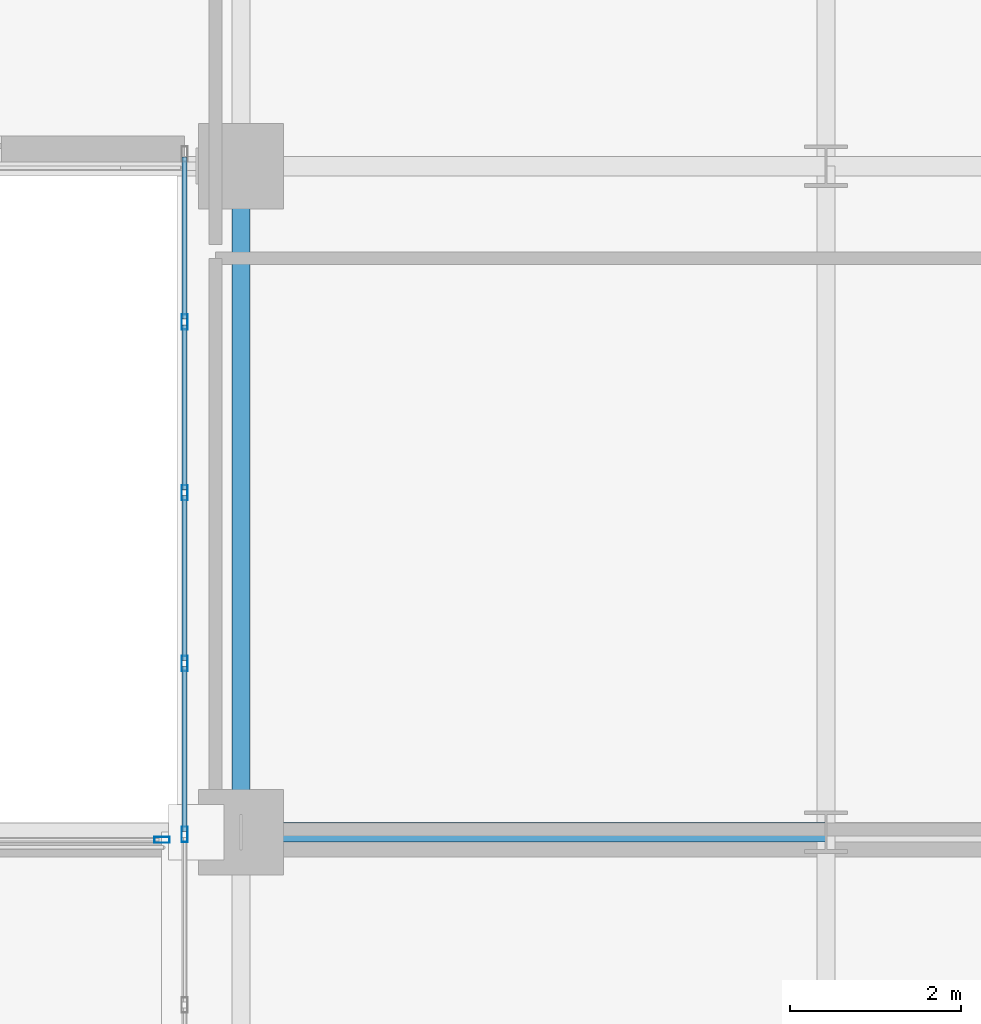
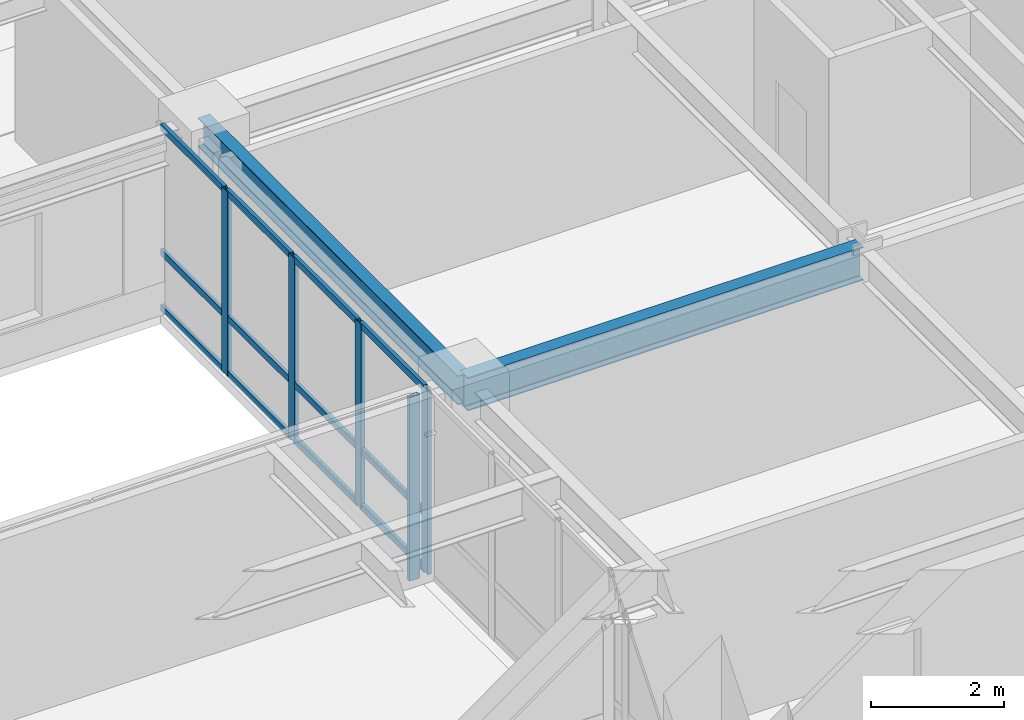
# One storey, part 10 of 31: 17 members, 2 beams, 2 elements without a shape of their own.
"""IFC4 building model written with IfcOpenShell, lengths in metres."""

from ifc_helpers import new_model, si_unit, direction, frame, origin, origin_2d, place, context, subcontext, project, spatial, hollow_rectangle, i_section, extrude, source, transform, mapped, material, layer, layer_set, material_profile, profile_set, type_object, type_shapes, element, aggregate, save


model = new_model("IFC4")

# Units and contexts
model_context = context("Model", 3, precision=1e-05, world=origin(), true_north=direction((0.0, 1.0)))
body_context = subcontext(model_context, "Body", "Model", "MODEL_VIEW")
ifc_project = project(units=[si_unit("LENGTHUNIT", "METRE"), si_unit("AREAUNIT", "SQUARE_METRE"), si_unit("VOLUMEUNIT", "CUBIC_METRE"), si_unit("PLANEANGLEUNIT", "RADIAN"), si_unit("MASSUNIT", "GRAM", prefix="KILO")], contexts=[model_context])

# Site, building, storey
site_placement = place(None, origin())
site = spatial("IfcSite", under=ifc_project, at=site_placement, CompositionType="ELEMENT")
building_placement = place(site_placement, origin())
building = spatial("IfcBuilding", under=site, at=building_placement, Name="Tolvann Quenvar Hotel", CompositionType="ELEMENT")
storey_placement = place(building_placement, frame((0.0, 0.0, 74.60009765625)))
storey = spatial("IfcBuildingStorey", under=building, at=storey_placement, Name="L18", CompositionType="ELEMENT", Elevation=74.60009765625)

# Beams
ifc_material_1 = material(Name="Steel Grade 350", Category="steel")
ifc_material_profile_1 = material_profile(ifc_material_1, i_section(OverallWidth=0.22900390625, OverallDepth=0.612060546875, WebThickness=0.011962890625, FlangeThickness=0.01953125, FilletRadius=0.013916015625, at=origin_2d()), Name="610UB125")
ifc_profile_set_1 = profile_set([ifc_material_profile_1], Name="Steel Grade 350")
beam_type_1 = type_object("IfcBeamType", Name="BM_GIRD_610UB125", PredefinedType="BEAM", material=ifc_profile_set_1)
shared_shape_1 = source(origin(), body_context, "Body", "SweptSolid", [
    extrude(i_section(OverallWidth=0.22900390625, OverallDepth=0.612060546875, WebThickness=0.011962890625, FlangeThickness=0.01953125, FilletRadius=0.013916015625, at=origin_2d()), origin(), (0.0, 0.0, 1.0), 6.85009765625),
])
type_shapes(beam_type_1, [shared_shape_1])
beam_1_placement = place(storey_placement, frame((34.949951171875, 8.199951171875, 3.06396484375), z_axis=(1.0, 0.0, 0.0), x_axis=(0.0, 1.0, 0.0)))
element("IfcBeam", 1, at=beam_1_placement, inside=storey, type_object=beam_type_1, Name="BM-L18-EW-3-F3-H3", PredefinedType="BEAM", context=body_context, shape_type="MappedRepresentation", body=[
    mapped(shared_shape_1, transform((0.0, 0.0, 0.0), x_axis=(1.0, 0.0, 0.0), y_axis=(0.0, 1.0, 0.0), z_axis=(0.0, 0.0, 1.0), scale=1.0)),
])
ifc_material_profile_2 = material_profile(ifc_material_1, i_section(OverallWidth=0.208984375, OverallDepth=0.532958984375, WebThickness=0.01025390625, FlangeThickness=0.015625, FilletRadius=0.013916015625, at=origin_2d()), Name="530UB92")
ifc_profile_set_2 = profile_set([ifc_material_profile_2], Name="Steel Grade 350")
beam_type_2 = type_object("IfcBeamType", Name="BM_GIRD_530UB92", PredefinedType="BEAM", material=ifc_profile_set_2)
shared_shape_2 = source(origin(), body_context, "Body", "SweptSolid", [
    extrude(i_section(OverallWidth=0.208984375, OverallDepth=0.532958984375, WebThickness=0.01025390625, FlangeThickness=0.015625, FilletRadius=0.013916015625, at=origin_2d()), origin(), (0.0, 0.0, 1.0), 7.800048828125),
])
type_shapes(beam_type_2, [shared_shape_2])
beam_2_placement = place(storey_placement, frame((34.949951171875, 8.199951171875, 3.103515625), z_axis=(0.0, 1.0, 0.0), x_axis=(-1.0, 0.0, 0.0)))
element("IfcBeam", 2, at=beam_2_placement, inside=storey, type_object=beam_type_2, Name="BM-L18-NS-F3-F4", PredefinedType="BEAM", context=body_context, shape_type="MappedRepresentation", body=[
    mapped(shared_shape_2, transform((0.0, 0.0, 0.0), x_axis=(1.0, 0.0, 0.0), y_axis=(0.0, 1.0, 0.0), z_axis=(0.0, 0.0, 1.0), scale=1.0)),
])

# Curtain wall, members
ifc_material_2 = material(Name="Thermally broken anodised architectural aluminium 6063-T6 and laminated low-E glass", Category="aluminium")
ifc_layer = layer(ifc_material_2, 0.179931640625)
ifc_layer_set = layer_set([ifc_layer], Name="Thermally broken anodised architectural aluminium 6063-T6 and laminated low-E glass")
curtain_wall_type = type_object("IfcCurtainWallType", Name="CW_SYS_SLOT_03", PredefinedType="USERDEFINED", material=ifc_layer_set)
curtain_wall_1_placement = place(storey_placement, origin())
curtain_wall_1 = element("IfcCurtainWall", 3, at=curtain_wall_1_placement, inside=storey, type_object=curtain_wall_type, Name="Curtain Wall CW-SLOT-03 (CWR-L18-E07)", ObjectType="UNITISED CURTAIN WALL", PredefinedType="USERDEFINED")
ifc_material_3 = material(Name="Anodised architectural aluminium 6063-T6 framing", Category="aluminium")
ifc_material_profile_3 = material_profile(ifc_material_3, hollow_rectangle(XDim=0.06005859375, YDim=0.1201171875, WallThickness=0.00341796875, at=origin_2d()), Name="120x60x3.5RHS")
ifc_profile_set_3 = profile_set([ifc_material_profile_3], Name="Anodised architectural aluminium 6063-T6 framing")
member_type_1 = type_object("IfcMemberType", Name="CW_TRAN_120x60", PredefinedType="USERDEFINED", material=ifc_profile_set_3)
shared_shape_3 = source(origin(), body_context, "Body", "SweptSolid", [
    extrude(hollow_rectangle(XDim=0.06005859375, YDim=0.1201171875, WallThickness=0.00341796875, at=origin_2d()), origin(), (0.0, 0.0, 1.0), 1.929931640625),
])
member_1_placement = place(storey_placement, frame((34.2900390625, 14.139892578125, 0.02978515625), z_axis=(0.0, -1.0, 0.0), x_axis=(1.0, 0.0, 0.0)))
member_1 = element("IfcMember", 4, at=member_1_placement, type_object=member_type_1, Name="CW-SLOT-03 transom 2.1", ObjectType="TRANSOM", PredefinedType="USERDEFINED", context=body_context, shape_type="MappedRepresentation", body=[
    mapped(shared_shape_3, transform((0.0, 0.0, 0.0), x_axis=(1.0, 0.0, 0.0), y_axis=(0.0, 1.0, 0.0), z_axis=(0.0, 0.0, 1.0), scale=1.0)),
])
member_2_placement = place(storey_placement, frame((34.2900390625, 14.139892578125, 1.0498046875), z_axis=(0.0, -1.0, 0.0), x_axis=(1.0, 0.0, 0.0)))
member_2 = element("IfcMember", 5, at=member_2_placement, type_object=member_type_1, Name="CW-SLOT-03 transom 2.2", ObjectType="TRANSOM", PredefinedType="USERDEFINED", context=body_context, shape_type="MappedRepresentation", body=[
    mapped(shared_shape_3, transform((0.0, 0.0, 0.0), x_axis=(1.0, 0.0, 0.0), y_axis=(0.0, 1.0, 0.0), z_axis=(0.0, 0.0, 1.0), scale=1.0)),
])
member_3_placement = place(storey_placement, frame((34.2900390625, 14.139892578125, 3.33984375), z_axis=(0.0, -1.0, 0.0), x_axis=(1.0, 0.0, 0.0)))
member_3 = element("IfcMember", 6, at=member_3_placement, type_object=member_type_1, Name="CW-SLOT-03 transom 2.3", ObjectType="TRANSOM", PredefinedType="USERDEFINED", context=body_context, shape_type="MappedRepresentation", body=[
    mapped(shared_shape_3, transform((0.0, 0.0, 0.0), x_axis=(1.0, 0.0, 0.0), y_axis=(0.0, 1.0, 0.0), z_axis=(0.0, 0.0, 1.0), scale=1.0)),
])
member_4_placement = place(storey_placement, frame((34.2900390625, 12.139892578125, 0.02978515625), z_axis=(0.0, -1.0, 0.0), x_axis=(1.0, 0.0, 0.0)))
member_4 = element("IfcMember", 7, at=member_4_placement, type_object=member_type_1, Name="CW-SLOT-03 transom 3.1", ObjectType="TRANSOM", PredefinedType="USERDEFINED", context=body_context, shape_type="MappedRepresentation", body=[
    mapped(shared_shape_3, transform((0.0, 0.0, 0.0), x_axis=(1.0, 0.0, 0.0), y_axis=(0.0, 1.0, 0.0), z_axis=(0.0, 0.0, 1.0), scale=1.0)),
])
member_5_placement = place(storey_placement, frame((34.2900390625, 12.139892578125, 1.0498046875), z_axis=(0.0, -1.0, 0.0), x_axis=(1.0, 0.0, 0.0)))
member_5 = element("IfcMember", 8, at=member_5_placement, type_object=member_type_1, Name="CW-SLOT-03 transom 3.2", ObjectType="TRANSOM", PredefinedType="USERDEFINED", context=body_context, shape_type="MappedRepresentation", body=[
    mapped(shared_shape_3, transform((0.0, 0.0, 0.0), x_axis=(1.0, 0.0, 0.0), y_axis=(0.0, 1.0, 0.0), z_axis=(0.0, 0.0, 1.0), scale=1.0)),
])
member_6_placement = place(storey_placement, frame((34.2900390625, 12.139892578125, 3.33984375), z_axis=(0.0, -1.0, 0.0), x_axis=(1.0, 0.0, 0.0)))
member_6 = element("IfcMember", 9, at=member_6_placement, type_object=member_type_1, Name="CW-SLOT-03 transom 3.3", ObjectType="TRANSOM", PredefinedType="USERDEFINED", context=body_context, shape_type="MappedRepresentation", body=[
    mapped(shared_shape_3, transform((0.0, 0.0, 0.0), x_axis=(1.0, 0.0, 0.0), y_axis=(0.0, 1.0, 0.0), z_axis=(0.0, 0.0, 1.0), scale=1.0)),
])
member_7_placement = place(storey_placement, frame((34.2900390625, 10.139892578125, 0.02978515625), z_axis=(0.0, -1.0, 0.0), x_axis=(1.0, 0.0, 0.0)))
member_7 = element("IfcMember", 10, at=member_7_placement, type_object=member_type_1, Name="CW-SLOT-03 transom 4.1", ObjectType="TRANSOM", PredefinedType="USERDEFINED", context=body_context, shape_type="MappedRepresentation", body=[
    mapped(shared_shape_3, transform((0.0, 0.0, 0.0), x_axis=(1.0, 0.0, 0.0), y_axis=(0.0, 1.0, 0.0), z_axis=(0.0, 0.0, 1.0), scale=1.0)),
])
member_8_placement = place(storey_placement, frame((34.2900390625, 10.139892578125, 1.0498046875), z_axis=(0.0, -1.0, 0.0), x_axis=(1.0, 0.0, 0.0)))
member_8 = element("IfcMember", 11, at=member_8_placement, type_object=member_type_1, Name="CW-SLOT-03 transom 4.2", ObjectType="TRANSOM", PredefinedType="USERDEFINED", context=body_context, shape_type="MappedRepresentation", body=[
    mapped(shared_shape_3, transform((0.0, 0.0, 0.0), x_axis=(1.0, 0.0, 0.0), y_axis=(0.0, 1.0, 0.0), z_axis=(0.0, 0.0, 1.0), scale=1.0)),
])
member_9_placement = place(storey_placement, frame((34.2900390625, 10.139892578125, 3.33984375), z_axis=(0.0, -1.0, 0.0), x_axis=(1.0, 0.0, 0.0)))
member_9 = element("IfcMember", 12, at=member_9_placement, type_object=member_type_1, Name="CW-SLOT-03 transom 4.3", ObjectType="TRANSOM", PredefinedType="USERDEFINED", context=body_context, shape_type="MappedRepresentation", body=[
    mapped(shared_shape_3, transform((0.0, 0.0, 0.0), x_axis=(1.0, 0.0, 0.0), y_axis=(0.0, 1.0, 0.0), z_axis=(0.0, 0.0, 1.0), scale=1.0)),
])
shared_shape_4 = source(origin(), body_context, "Body", "SweptSolid", [
    extrude(hollow_rectangle(XDim=0.06005859375, YDim=0.1201171875, WallThickness=0.00341796875, at=origin_2d()), origin(), (0.0, 0.0, 1.0), 1.89501953125),
])
type_shapes(member_type_1, [shared_shape_3, shared_shape_4])
member_10_placement = place(storey_placement, frame((34.2900390625, 16.10498046875, 0.02978515625), z_axis=(0.0, -1.0, 0.0), x_axis=(1.0, 0.0, 0.0)))
member_10 = element("IfcMember", 13, at=member_10_placement, type_object=member_type_1, Name="CW-SLOT-03 transom 1.1", ObjectType="TRANSOM", PredefinedType="USERDEFINED", context=body_context, shape_type="MappedRepresentation", body=[
    mapped(shared_shape_4, transform((0.0, 0.0, 0.0), x_axis=(1.0, 0.0, 0.0), y_axis=(0.0, 1.0, 0.0), z_axis=(0.0, 0.0, 1.0), scale=1.0)),
])
member_11_placement = place(storey_placement, frame((34.2900390625, 16.10498046875, 1.0498046875), z_axis=(0.0, -1.0, 0.0), x_axis=(1.0, 0.0, 0.0)))
member_11 = element("IfcMember", 14, at=member_11_placement, type_object=member_type_1, Name="CW-SLOT-03 transom 1.2", ObjectType="TRANSOM", PredefinedType="USERDEFINED", context=body_context, shape_type="MappedRepresentation", body=[
    mapped(shared_shape_4, transform((0.0, 0.0, 0.0), x_axis=(1.0, 0.0, 0.0), y_axis=(0.0, 1.0, 0.0), z_axis=(0.0, 0.0, 1.0), scale=1.0)),
])
member_12_placement = place(storey_placement, frame((34.2900390625, 16.10498046875, 3.33984375), z_axis=(0.0, -1.0, 0.0), x_axis=(1.0, 0.0, 0.0)))
member_12 = element("IfcMember", 15, at=member_12_placement, type_object=member_type_1, Name="CW-SLOT-03 transom 1.3", ObjectType="TRANSOM", PredefinedType="USERDEFINED", context=body_context, shape_type="MappedRepresentation", body=[
    mapped(shared_shape_4, transform((0.0, 0.0, 0.0), x_axis=(1.0, 0.0, 0.0), y_axis=(0.0, 1.0, 0.0), z_axis=(0.0, 0.0, 1.0), scale=1.0)),
])
ifc_material_profile_4 = material_profile(ifc_material_3, hollow_rectangle(XDim=0.070068359375, YDim=0.179931640625, WallThickness=0.00390625, at=origin_2d()), Name="180x70x4RHS")
ifc_profile_set_4 = profile_set([ifc_material_profile_4], Name="Anodised architectural aluminium 6063-T6 framing")
member_type_2 = type_object("IfcMemberType", Name="CW_MULL_180x70", PredefinedType="MULLION", material=ifc_profile_set_4)
shared_shape_5 = source(origin(), body_context, "Body", "SweptSolid", [
    extrude(hollow_rectangle(XDim=0.070068359375, YDim=0.179931640625, WallThickness=0.00390625, at=origin_2d()), origin(), (0.0, 0.0, 1.0), 3.369873046875),
])
type_shapes(member_type_2, [shared_shape_5])
member_13_placement = place(storey_placement, frame((34.2900390625, 14.175048828125, 0.0), z_axis=(0.0, 0.0, 1.0), x_axis=(1.0, 0.0, 0.0)))
member_13 = element("IfcMember", 16, at=member_13_placement, type_object=member_type_2, Name="CW-SLOT-03 mullion 2", PredefinedType="MULLION", context=body_context, shape_type="MappedRepresentation", body=[
    mapped(shared_shape_5, transform((0.0, 0.0, 0.0), x_axis=(1.0, 0.0, 0.0), y_axis=(0.0, 1.0, 0.0), z_axis=(0.0, 0.0, 1.0), scale=1.0)),
])
member_14_placement = place(storey_placement, frame((34.2900390625, 12.175048828125, 0.0), z_axis=(0.0, 0.0, 1.0), x_axis=(1.0, 0.0, 0.0)))
member_14 = element("IfcMember", 17, at=member_14_placement, type_object=member_type_2, Name="CW-SLOT-03 mullion 3", PredefinedType="MULLION", context=body_context, shape_type="MappedRepresentation", body=[
    mapped(shared_shape_5, transform((0.0, 0.0, 0.0), x_axis=(1.0, 0.0, 0.0), y_axis=(0.0, 1.0, 0.0), z_axis=(0.0, 0.0, 1.0), scale=1.0)),
])
member_15_placement = place(storey_placement, frame((34.2900390625, 10.175048828125, 0.0), z_axis=(0.0, 0.0, 1.0), x_axis=(1.0, 0.0, 0.0)))
member_15 = element("IfcMember", 18, at=member_15_placement, type_object=member_type_2, Name="CW-SLOT-03 mullion 4", PredefinedType="MULLION", context=body_context, shape_type="MappedRepresentation", body=[
    mapped(shared_shape_5, transform((0.0, 0.0, 0.0), x_axis=(1.0, 0.0, 0.0), y_axis=(0.0, 1.0, 0.0), z_axis=(0.0, 0.0, 1.0), scale=1.0)),
])
member_16_placement = place(storey_placement, frame((34.2900390625, 8.175048828125, 0.0), z_axis=(0.0, 0.0, 1.0), x_axis=(1.0, 0.0, 0.0)))
member_16 = element("IfcMember", 19, at=member_16_placement, type_object=member_type_2, Name="CW-SLOT-03 mullion 5", PredefinedType="MULLION", context=body_context, shape_type="MappedRepresentation", body=[
    mapped(shared_shape_5, transform((0.0, 0.0, 0.0), x_axis=(1.0, 0.0, 0.0), y_axis=(0.0, 1.0, 0.0), z_axis=(0.0, 0.0, 1.0), scale=1.0)),
])
aggregate(curtain_wall_1, [member_13, member_14, member_15, member_16, member_10, member_11, member_12, member_1, member_2, member_3, member_4, member_5, member_6, member_7, member_8, member_9])

# Curtain wall, member
curtain_wall_2_placement = place(storey_placement, origin())
curtain_wall_2 = element("IfcCurtainWall", 20, at=curtain_wall_2_placement, inside=storey, type_object=curtain_wall_type, Name="Curtain Wall CW-SLOT-03 (CWR-BRG-L18-N)", ObjectType="UNITISED CURTAIN WALL", PredefinedType="USERDEFINED")
member_17_placement = place(storey_placement, frame((34.02490234375, 8.110107421875, 0.0), z_axis=(0.0, 0.0, 1.0), x_axis=(0.0, -1.0, 0.0)))
member_17 = element("IfcMember", 21, at=member_17_placement, type_object=member_type_2, Name="CW-SLOT-03 mullion 1", PredefinedType="MULLION", context=body_context, shape_type="MappedRepresentation", body=[
    mapped(shared_shape_5, transform((0.0, 0.0, 0.0), x_axis=(1.0, 0.0, 0.0), y_axis=(0.0, 1.0, 0.0), z_axis=(0.0, 0.0, 1.0), scale=1.0)),
])
aggregate(curtain_wall_2, [member_17])

save(model, "model.ifc")
